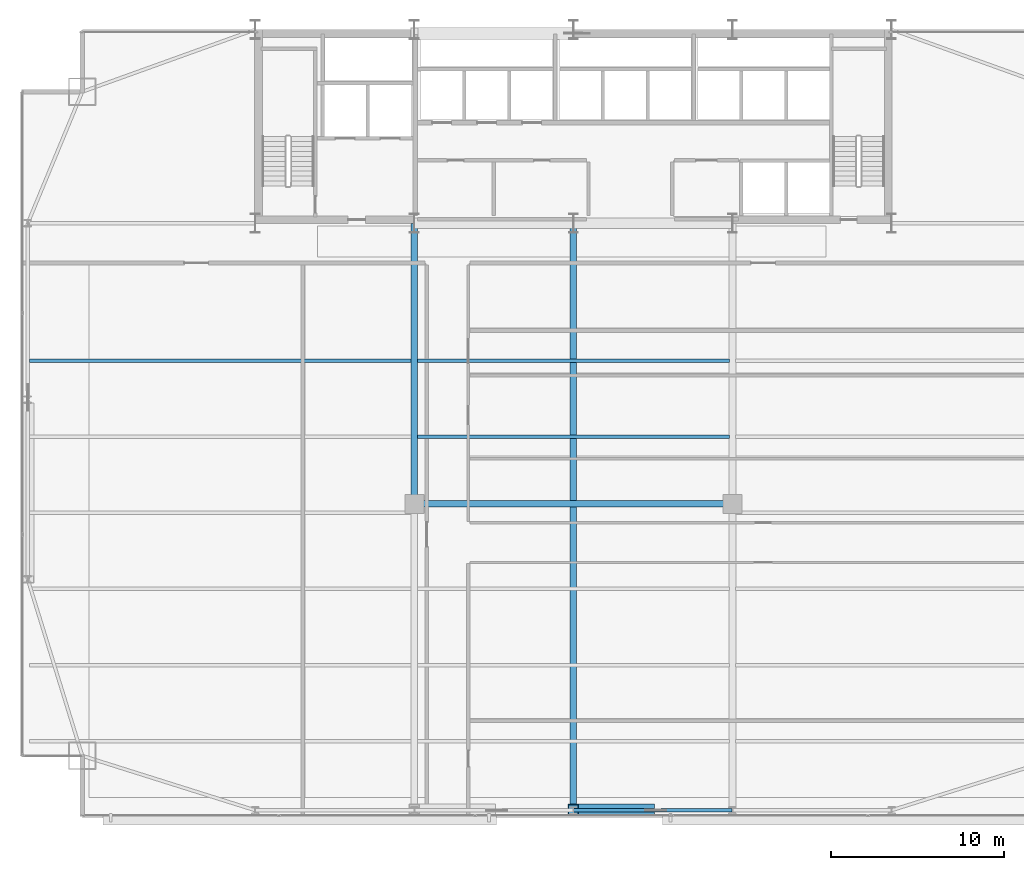
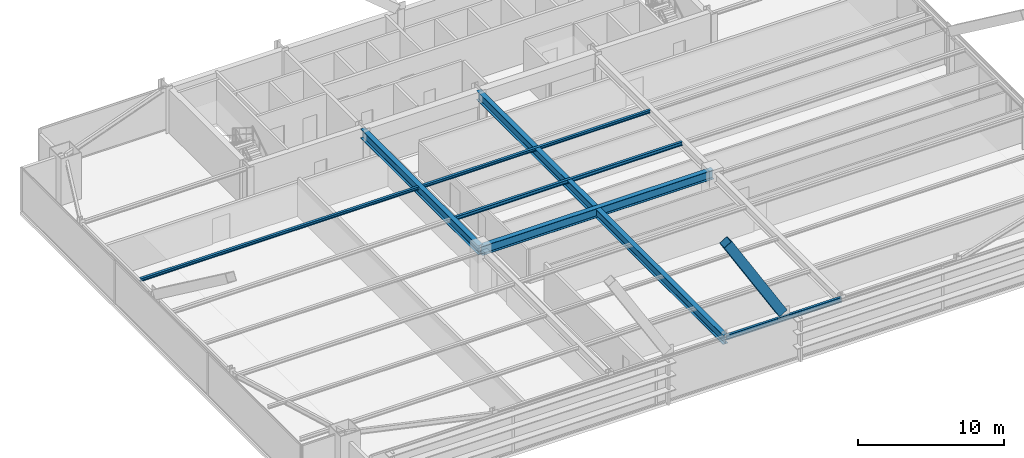
# One storey, part 11 of 35: 7 beams, 1 member.
"""IFC4 building model written with IfcOpenShell, lengths in metres."""

from ifc_helpers import new_model, si_unit, direction, frame, origin, origin_2d, place, context, subcontext, project, spatial, hollow_rectangle, i_section, extrude, source, transform, mapped, material, material_profile, profile_set, type_object, type_shapes, element, save


model = new_model("IFC4")

# Units and contexts
model_context = context("Model", 3, precision=1e-05, world=origin(), true_north=direction((0.0, 1.0)))
body_context = subcontext(model_context, "Body", "Model", "MODEL_VIEW")
ifc_project = project(units=[si_unit("LENGTHUNIT", "METRE"), si_unit("AREAUNIT", "SQUARE_METRE"), si_unit("VOLUMEUNIT", "CUBIC_METRE"), si_unit("PLANEANGLEUNIT", "RADIAN"), si_unit("MASSUNIT", "GRAM", prefix="KILO")], contexts=[model_context])

# Site, building, storey
site_placement = place(None, origin())
site = spatial("IfcSite", under=ifc_project, at=site_placement, CompositionType="ELEMENT")
building_placement = place(site_placement, origin())
building = spatial("IfcBuilding", under=site, at=building_placement, Name="Varnel Quay Broadcast Tower", CompositionType="ELEMENT")
storey_placement = place(building_placement, frame((0.0, 0.0, 31.5)))
storey = spatial("IfcBuildingStorey", under=building, at=storey_placement, Name="L06", CompositionType="ELEMENT", Elevation=31.5)

# Beams
ifc_material_1 = material(Name="Structural Steel CSA G40.21 350W", Category="steel")
ifc_material_profile_1 = material_profile(ifc_material_1, i_section(OverallWidth=0.180908203125, OverallDepth=0.4169921875, WebThickness=0.010986328125, FlangeThickness=0.018310546875, FilletRadius=0.011962890625, at=origin_2d()), Name="W410X85")
ifc_profile_set_1 = profile_set([ifc_material_profile_1], Name="Structural Steel CSA G40.21 350W")
beam_type_1 = type_object("IfcBeamType", Name="Beam_W410X85", PredefinedType="SPANDREL", material=ifc_profile_set_1)
shared_shape_1 = source(origin(), body_context, "Body", "SweptSolid", [
    extrude(i_section(OverallWidth=0.180908203125, OverallDepth=0.4169921875, WebThickness=0.010986328125, FlangeThickness=0.018310546875, FilletRadius=0.011962890625, at=origin_2d()), origin(), (0.0, 0.0, 1.0), 9.159912109375),
])
type_shapes(beam_type_1, [shared_shape_1])
beam_1_placement = place(storey_placement, frame((34.02001953125, 1.64990234375, 3.44140625), z_axis=(1.0, 0.0, 0.0), x_axis=(0.0, 1.0, 0.0)))
element("IfcBeam", 1, at=beam_1_placement, inside=storey, type_object=beam_type_1, Name="L06 South Spandrel TC-S3-TC-S4", PredefinedType="SPANDREL", context=body_context, shape_type="MappedRepresentation", body=[
    mapped(shared_shape_1, transform((0.0, 0.0, 0.0), x_axis=(1.0, 0.0, 0.0), y_axis=(0.0, 1.0, 0.0), z_axis=(0.0, 0.0, 1.0), scale=1.0)),
])
ifc_material_profile_2 = material_profile(ifc_material_1, i_section(OverallWidth=0.381103515625, OverallDepth=0.77294921875, WebThickness=0.0166015625, FlangeThickness=0.027587890625, FilletRadius=0.01806640625, at=origin_2d()), Name="W760X257")
ifc_profile_set_2 = profile_set([ifc_material_profile_2], Name="Structural Steel CSA G40.21 350W")
beam_type_2 = type_object("IfcBeamType", Name="Girder_W760X257", PredefinedType="BEAM", material=ifc_profile_set_2)
shared_shape_2 = source(origin(), body_context, "Body", "SweptSolid", [
    extrude(i_section(OverallWidth=0.381103515625, OverallDepth=0.77294921875, WebThickness=0.0166015625, FlangeThickness=0.027587890625, FilletRadius=0.01806640625, at=origin_2d()), origin(), (0.0, 0.0, 1.0), 16.190185546875),
])
beam_2_placement = place(storey_placement, frame((24.800048828125, 19.389892578125, 3.263427734375), z_axis=(0.0, 1.0, 0.0), x_axis=(-1.0, 0.0, 0.0)))
element("IfcBeam", 2, at=beam_2_placement, inside=storey, type_object=beam_type_2, Name="L06 Primary Girder IC-01-CC-S2", PredefinedType="BEAM", context=body_context, shape_type="MappedRepresentation", body=[
    mapped(shared_shape_2, transform((0.0, 0.0, 0.0), x_axis=(1.0, 0.0, 0.0), y_axis=(0.0, 1.0, 0.0), z_axis=(0.0, 0.0, 1.0), scale=1.0)),
])
shared_shape_3 = source(origin(), body_context, "Body", "SweptSolid", [
    extrude(i_section(OverallWidth=0.381103515625, OverallDepth=0.77294921875, WebThickness=0.0166015625, FlangeThickness=0.027587890625, FilletRadius=0.01806640625, at=origin_2d()), origin(), (0.0, 0.0, 1.0), 18.35986328125),
])
beam_3_placement = place(storey_placement, frame((24.820068359375, 19.3701171875, 3.263427734375), z_axis=(1.0, 0.0, 0.0), x_axis=(0.0, 1.0, 0.0)))
element("IfcBeam", 3, at=beam_3_placement, inside=storey, type_object=beam_type_2, Name="L06 Interior Spine Girder", PredefinedType="BEAM", context=body_context, shape_type="MappedRepresentation", body=[
    mapped(shared_shape_3, transform((0.0, 0.0, 0.0), x_axis=(1.0, 0.0, 0.0), y_axis=(0.0, 1.0, 0.0), z_axis=(0.0, 0.0, 1.0), scale=1.0)),
])
shared_shape_4 = source(origin(), body_context, "Body", "SweptSolid", [
    extrude(i_section(OverallWidth=0.381103515625, OverallDepth=0.77294921875, WebThickness=0.0166015625, FlangeThickness=0.027587890625, FilletRadius=0.01806640625, at=origin_2d()), origin(), (0.0, 0.0, 1.0), 33.91015625),
])
type_shapes(beam_type_2, [shared_shape_2, shared_shape_3, shared_shape_4])
beam_4_placement = place(storey_placement, frame((34.0, 1.669921875, 3.263427734375), z_axis=(0.0, 1.0, 0.0), x_axis=(-1.0, 0.0, 0.0)))
element("IfcBeam", 4, at=beam_4_placement, inside=storey, type_object=beam_type_2, Name="L06 Central Bay Girder", PredefinedType="BEAM", context=body_context, shape_type="MappedRepresentation", body=[
    mapped(shared_shape_4, transform((0.0, 0.0, 0.0), x_axis=(1.0, 0.0, 0.0), y_axis=(0.0, 1.0, 0.0), z_axis=(0.0, 0.0, 1.0), scale=1.0)),
])
ifc_material_profile_3 = material_profile(ifc_material_1, i_section(OverallWidth=0.202880859375, OverallDepth=0.302978515625, WebThickness=0.007568359375, FlangeThickness=0.01318359375, FilletRadius=0.011962890625, at=origin_2d()), Name="W310X60")
ifc_profile_set_3 = profile_set([ifc_material_profile_3], Name="Structural Steel CSA G40.21 350W")
beam_type_3 = type_object("IfcBeamType", Name="Beam_W310X60", PredefinedType="JOIST", material=ifc_profile_set_3)
shared_shape_5 = source(origin(), body_context, "Body", "SweptSolid", [
    extrude(i_section(OverallWidth=0.202880859375, OverallDepth=0.302978515625, WebThickness=0.007568359375, FlangeThickness=0.01318359375, FilletRadius=0.011962890625, at=origin_2d()), origin(), (0.0, 0.0, 1.0), 18.02880859375),
])
type_shapes(beam_type_3, [shared_shape_5])
beam_5_placement = place(storey_placement, frame((24.985595703125, 23.25, 3.49853515625), z_axis=(1.0, 0.0, 0.0), x_axis=(0.0, 1.0, 0.0)))
element("IfcBeam", 5, at=beam_5_placement, inside=storey, type_object=beam_type_3, Name="L06 Central Floor Joist 5", PredefinedType="JOIST", context=body_context, shape_type="MappedRepresentation", body=[
    mapped(shared_shape_5, transform((0.0, 0.0, 0.0), x_axis=(1.0, 0.0, 0.0), y_axis=(0.0, 1.0, 0.0), z_axis=(0.0, 0.0, 1.0), scale=1.0)),
])
ifc_material_profile_4 = material_profile(ifc_material_1, i_section(OverallWidth=0.201904296875, OverallDepth=0.2470703125, WebThickness=0.00732421875, FlangeThickness=0.010986328125, FilletRadius=0.010986328125, at=origin_2d()), Name="W250X49")
ifc_profile_set_4 = profile_set([ifc_material_profile_4], Name="Structural Steel CSA G40.21 350W")
beam_type_4 = type_object("IfcBeamType", Name="Beam_W250X49", PredefinedType="JOIST", material=ifc_profile_set_4)
shared_shape_6 = source(origin(), body_context, "Body", "SweptSolid", [
    extrude(i_section(OverallWidth=0.201904296875, OverallDepth=0.2470703125, WebThickness=0.00732421875, FlangeThickness=0.010986328125, FilletRadius=0.010986328125, at=origin_2d()), origin(), (0.0, 0.0, 1.0), 22.0791015625),
])
beam_6_placement = place(storey_placement, frame((2.535400390625, 27.64990234375, 3.526611328125), z_axis=(1.0, 0.0, 0.0), x_axis=(0.0, 1.0, 0.0)))
element("IfcBeam", 6, at=beam_6_placement, inside=storey, type_object=beam_type_4, Name="L06 West Floor Joist 6", PredefinedType="JOIST", context=body_context, shape_type="MappedRepresentation", body=[
    mapped(shared_shape_6, transform((0.0, 0.0, 0.0), x_axis=(1.0, 0.0, 0.0), y_axis=(0.0, 1.0, 0.0), z_axis=(0.0, 0.0, 1.0), scale=1.0)),
])
shared_shape_7 = source(origin(), body_context, "Body", "SweptSolid", [
    extrude(i_section(OverallWidth=0.201904296875, OverallDepth=0.2470703125, WebThickness=0.00732421875, FlangeThickness=0.010986328125, FilletRadius=0.010986328125, at=origin_2d()), origin(), (0.0, 0.0, 1.0), 18.02880859375),
])
type_shapes(beam_type_4, [shared_shape_6, shared_shape_7])
beam_7_placement = place(storey_placement, frame((24.985595703125, 27.64990234375, 3.526611328125), z_axis=(1.0, 0.0, 0.0), x_axis=(0.0, 1.0, 0.0)))
element("IfcBeam", 7, at=beam_7_placement, inside=storey, type_object=beam_type_4, Name="L06 Central Floor Joist 6", PredefinedType="JOIST", context=body_context, shape_type="MappedRepresentation", body=[
    mapped(shared_shape_7, transform((0.0, 0.0, 0.0), x_axis=(1.0, 0.0, 0.0), y_axis=(0.0, 1.0, 0.0), z_axis=(0.0, 0.0, 1.0), scale=1.0)),
])

# Member
ifc_material_2 = material(Name="Structural Steel CSA G40.21 350WT", Category="steel")
ifc_material_profile_5 = material_profile(ifc_material_2, hollow_rectangle(XDim=0.699951171875, YDim=0.699951171875, WallThickness=0.031982421875, at=origin_2d()), Name="BOX700X700X32")
ifc_profile_set_5 = profile_set([ifc_material_profile_5], Name="Structural Steel CSA G40.21 350WT")
member_type = type_object("IfcMemberType", Name="Brace_BOX700X700X32", PredefinedType="BRACE", material=ifc_profile_set_5)
shared_shape_8 = source(origin(), body_context, "Body", "SweptSolid", [
    extrude(hollow_rectangle(XDim=0.699951171875, YDim=0.699951171875, WallThickness=0.031982421875, at=origin_2d()), origin(), (0.0, 0.0, 1.0), 8.50927734375),
])
type_shapes(member_type, [shared_shape_8])
member_placement = place(storey_placement, frame((38.3828125, 1.64990234375, 4.13623046875), z_axis=(-0.515065247535, 0.0, 0.857150973156), x_axis=(0.0, -1.0, 0.0)))
element("IfcMember", 8, at=member_placement, inside=storey, type_object=member_type, Name="Zone 1 Mega-Brace S-C2T1 Split Diag B2", PredefinedType="BRACE", context=body_context, shape_type="MappedRepresentation", body=[
    mapped(shared_shape_8, transform((0.0, 0.0, 0.0), x_axis=(1.0, 0.0, 0.0), y_axis=(0.0, 1.0, 0.0), z_axis=(0.0, 0.0, 1.0), scale=1.0)),
])

save(model, "model.ifc")
